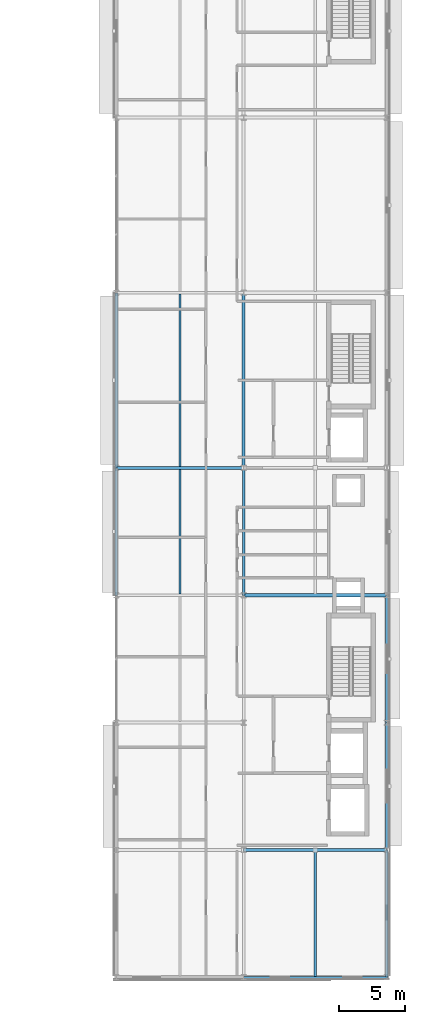
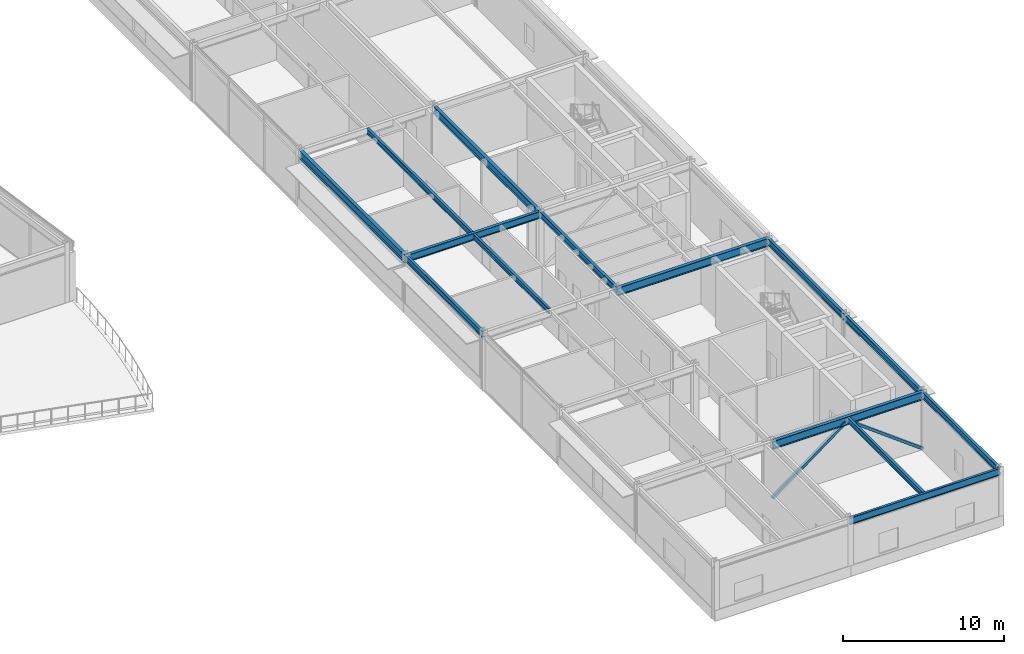
# One storey, part 50 of 89: 14 beams, 2 members.
"""IFC4 building model written with IfcOpenShell, lengths in metres."""

from ifc_helpers import new_model, si_unit, direction, frame, origin, origin_2d, place, context, subcontext, project, spatial, hollow_rectangle, i_section, extrude, material, material_profile, profile_set, type_object, element, save


model = new_model("IFC4")

# Units and contexts
model_context = context("Model", 3, precision=1e-05, world=origin(), true_north=direction((0.0, 1.0)))
body_context = subcontext(model_context, "Body", "Model", "MODEL_VIEW")
ifc_project = project(units=[si_unit("LENGTHUNIT", "METRE"), si_unit("AREAUNIT", "SQUARE_METRE"), si_unit("VOLUMEUNIT", "CUBIC_METRE"), si_unit("PLANEANGLEUNIT", "RADIAN"), si_unit("MASSUNIT", "GRAM", prefix="KILO")], contexts=[model_context])

# Site, building, storey
site_placement = place(None, origin())
site = spatial("IfcSite", under=ifc_project, at=site_placement, CompositionType="ELEMENT")
building_placement = place(site_placement, origin())
building = spatial("IfcBuilding", under=site, at=building_placement, Name="Almandine Court Research Institute", CompositionType="ELEMENT")
storey_placement = place(building_placement, frame((0.0, 0.0, 18.89990234375)))
storey = spatial("IfcBuildingStorey", under=building, at=storey_placement, Name="L04", CompositionType="ELEMENT", Elevation=18.89990234375)

# Beams
ifc_material_1 = material(Name="Steel ASTM A992 Grade 50", Category="steel")
ifc_material_profile_1 = material_profile(ifc_material_1, i_section(OverallWidth=0.18994140625, OverallDepth=0.45703125, WebThickness=0.009033203125, FlangeThickness=0.014892578125, at=origin_2d()), Name="W460x74")
ifc_profile_set_1 = profile_set([ifc_material_profile_1], Name="Steel ASTM A992 Grade 50")
beam_type_1 = type_object("IfcBeamType", Name="Beam-B-01", PredefinedType="BEAM", material=ifc_profile_set_1)
for number, where, z_axis, x_axis, name in (
    (1, (153.60009765625, 34.800048828125, 4.14111328125), (0.0, 1.0, 0.0), (-1.0, 0.0, 0.0), "L04 V4 Primary Y Girder"),
    (2, (163.199951171875, 34.800048828125, 4.14111328125), (0.0, 1.0, 0.0), (-1.0, 0.0, 0.0), "L04 V4 Primary Y Girder"),
):
    element("IfcBeam", number, at=place(storey_placement, frame(where, z_axis=z_axis, x_axis=x_axis)), inside=storey, type_object=beam_type_1, Name=name, PredefinedType="BEAM", context=body_context, shape_type="SweptSolid", body=[
        extrude(i_section(OverallWidth=0.18994140625, OverallDepth=0.45703125, WebThickness=0.009033203125, FlangeThickness=0.014892578125, at=origin_2d()), origin(), (0.0, 0.0, 1.0), 9.599853515625),
    ])
ifc_material_profile_2 = material_profile(ifc_material_1, i_section(OverallWidth=0.178955078125, OverallDepth=0.409912109375, WebThickness=0.009033203125, FlangeThickness=0.013916015625, at=origin_2d()), Name="W410x67")
ifc_profile_set_2 = profile_set([ifc_material_profile_2], Name="Steel ASTM A992 Grade 50")
beam_type_2 = type_object("IfcBeamType", Name="Beam-B-02", PredefinedType="JOIST", material=ifc_profile_set_2)
beam_1_placement = place(storey_placement, frame((168.60009765625, 6.0810546875, 4.1650390625), z_axis=(0.0, 1.0, 0.0), x_axis=(-1.0, 0.0, 0.0)))
element("IfcBeam", 3, at=beam_1_placement, inside=storey, type_object=beam_type_2, Name="L04 V4 Composite Secondary Beam", PredefinedType="JOIST", context=body_context, shape_type="SweptSolid", body=[
    extrude(i_section(OverallWidth=0.178955078125, OverallDepth=0.409912109375, WebThickness=0.009033203125, FlangeThickness=0.013916015625, at=origin_2d()), origin(), (0.0, 0.0, 1.0), 9.406005859375),
])
beam_2_placement = place(storey_placement, frame((158.39990234375, 34.903076171875, 4.1650390625), z_axis=(0.0, 1.0, 0.0), x_axis=(-1.0, 0.0, 0.0)))
element("IfcBeam", 4, at=beam_2_placement, inside=storey, type_object=beam_type_2, Name="L04 V4 Composite Secondary Beam", PredefinedType="JOIST", context=body_context, shape_type="SweptSolid", body=[
    extrude(i_section(OverallWidth=0.178955078125, OverallDepth=0.409912109375, WebThickness=0.009033203125, FlangeThickness=0.013916015625, at=origin_2d()), origin(), (0.0, 0.0, 1.0), 9.39404296875),
])
beam_3_placement = place(storey_placement, frame((158.39990234375, 44.5029296875, 4.1650390625), z_axis=(0.0, 1.0, 0.0), x_axis=(-1.0, 0.0, 0.0)))
element("IfcBeam", 5, at=beam_3_placement, inside=storey, type_object=beam_type_2, Name="L04 V4 Composite Secondary Beam", PredefinedType="JOIST", context=body_context, shape_type="SweptSolid", body=[
    extrude(i_section(OverallWidth=0.178955078125, OverallDepth=0.409912109375, WebThickness=0.009033203125, FlangeThickness=0.013916015625, at=origin_2d()), origin(), (0.0, 0.0, 1.0), 12.994140625),
])
ifc_material_profile_3 = material_profile(ifc_material_1, i_section(OverallWidth=0.22998046875, OverallDepth=0.616943359375, WebThickness=0.012939453125, FlangeThickness=0.02197265625, at=origin_2d()), Name="W610x140")
ifc_profile_set_3 = profile_set([ifc_material_profile_3], Name="Steel ASTM A992 Grade 50")
beam_type_3 = type_object("IfcBeamType", Name="Beam-G-02", PredefinedType="BEAM", material=ifc_profile_set_3)
for number, where, z_axis, x_axis, name in (
    (6, (163.199951171875, 15.60009765625, 4.06201171875), (1.0, 0.0, 0.0), (0.0, 1.0, 0.0), "L04 V4 Primary X Girder"),
    (7, (163.199951171875, 34.800048828125, 4.06201171875), (1.0, 0.0, 0.0), (0.0, 1.0, 0.0), "L04 V4 Primary X Girder"),
):
    element("IfcBeam", number, at=place(storey_placement, frame(where, z_axis=z_axis, x_axis=x_axis)), inside=storey, type_object=beam_type_3, Name=name, PredefinedType="BEAM", context=body_context, shape_type="SweptSolid", body=[
        extrude(i_section(OverallWidth=0.22998046875, OverallDepth=0.616943359375, WebThickness=0.012939453125, FlangeThickness=0.02197265625, at=origin_2d()), origin(), (0.0, 0.0, 1.0), 10.800048828125),
    ])
ifc_material_profile_4 = material_profile(ifc_material_1, i_section(OverallWidth=0.22802734375, OverallDepth=0.60791015625, WebThickness=0.010986328125, FlangeThickness=0.01708984375, at=origin_2d()), Name="W610x113")
ifc_profile_set_4 = profile_set([ifc_material_profile_4], Name="Steel ASTM A992 Grade 50")
beam_type_4 = type_object("IfcBeamType", Name="Beam-G-03", PredefinedType="BEAM", material=ifc_profile_set_4)
for number, where, z_axis, x_axis, name in (
    (8, (153.60009765625, 44.39990234375, 4.066162109375), (0.0, 1.0, 0.0), (-1.0, 0.0, 0.0), "L04 V4 Primary Y Girder"),
    (9, (163.199951171875, 44.39990234375, 4.066162109375), (0.0, 1.0, 0.0), (-1.0, 0.0, 0.0), "L04 V4 Primary Y Girder"),
):
    element("IfcBeam", number, at=place(storey_placement, frame(where, z_axis=z_axis, x_axis=x_axis)), inside=storey, type_object=beam_type_4, Name=name, PredefinedType="BEAM", context=body_context, shape_type="SweptSolid", body=[
        extrude(i_section(OverallWidth=0.22802734375, OverallDepth=0.60791015625, WebThickness=0.010986328125, FlangeThickness=0.01708984375, at=origin_2d()), origin(), (0.0, 0.0, 1.0), 13.2001953125),
    ])
ifc_material_profile_5 = material_profile(ifc_material_1, i_section(OverallWidth=0.2109375, OverallDepth=0.5390625, WebThickness=0.011962890625, FlangeThickness=0.01904296875, at=origin_2d()), Name="W530x109")
ifc_profile_set_5 = profile_set([ifc_material_profile_5], Name="Steel ASTM A992 Grade 50")
beam_type_5 = type_object("IfcBeamType", Name="Beam-G-04", PredefinedType="BEAM", material=ifc_profile_set_5)
beam_4_placement = place(storey_placement, frame((153.60009765625, 44.39990234375, 4.10009765625), z_axis=(1.0, 0.0, 0.0), x_axis=(0.0, 1.0, 0.0)))
element("IfcBeam", 10, at=beam_4_placement, inside=storey, type_object=beam_type_5, Name="L04 V4 Primary X Girder", PredefinedType="BEAM", context=body_context, shape_type="SweptSolid", body=[
    extrude(i_section(OverallWidth=0.2109375, OverallDepth=0.5390625, WebThickness=0.011962890625, FlangeThickness=0.01904296875, at=origin_2d()), origin(), (0.0, 0.0, 1.0), 9.599853515625),
])
ifc_material_profile_6 = material_profile(ifc_material_1, i_section(OverallWidth=0.166015625, OverallDepth=0.534912109375, WebThickness=0.010009765625, FlangeThickness=0.01708984375, at=origin_2d()), Name="W530x85")
ifc_profile_set_6 = profile_set([ifc_material_profile_6], Name="Steel ASTM A992 Grade 50")
beam_type_6 = type_object("IfcBeamType", Name="Beam-G-05-E", PredefinedType="SPANDREL", material=ifc_profile_set_6)
beam_5_placement = place(storey_placement, frame((163.199951171875, 6.0, 4.10302734375), z_axis=(1.0, 0.0, 0.0), x_axis=(0.0, 1.0, 0.0)))
element("IfcBeam", 11, at=beam_5_placement, inside=storey, type_object=beam_type_6, Name="L04 V4 Primary X Girder", PredefinedType="SPANDREL", context=body_context, shape_type="SweptSolid", body=[
    extrude(i_section(OverallWidth=0.166015625, OverallDepth=0.534912109375, WebThickness=0.010009765625, FlangeThickness=0.01708984375, at=origin_2d()), origin(), (0.0, 0.0, 1.0), 10.800048828125),
])
ifc_material_profile_7 = material_profile(ifc_material_1, i_section(OverallWidth=0.193115234375, OverallDepth=0.466064453125, WebThickness=0.010986328125, FlangeThickness=0.01904296875, at=origin_2d()), Name="W460x97")
ifc_profile_set_7 = profile_set([ifc_material_profile_7], Name="Steel ASTM A992 Grade 50")
beam_type_7 = type_object("IfcBeamType", Name="Beam-G-06-E", PredefinedType="SPANDREL", material=ifc_profile_set_7)
beam_6_placement = place(storey_placement, frame((174.0, 6.0, 4.13720703125), z_axis=(0.0, 1.0, 0.0), x_axis=(-1.0, 0.0, 0.0)))
element("IfcBeam", 12, at=beam_6_placement, inside=storey, type_object=beam_type_7, Name="L04 V4 Primary Y Girder", PredefinedType="SPANDREL", context=body_context, shape_type="SweptSolid", body=[
    extrude(i_section(OverallWidth=0.193115234375, OverallDepth=0.466064453125, WebThickness=0.010986328125, FlangeThickness=0.01904296875, at=origin_2d()), origin(), (0.0, 0.0, 1.0), 9.60009765625),
])
beam_7_placement = place(storey_placement, frame((174.0, 15.60009765625, 4.13720703125), z_axis=(0.0, 1.0, 0.0), x_axis=(-1.0, 0.0, 0.0)))
element("IfcBeam", 13, at=beam_7_placement, inside=storey, type_object=beam_type_7, Name="L04 V4 Primary Y Girder", PredefinedType="SPANDREL", context=body_context, shape_type="SweptSolid", body=[
    extrude(i_section(OverallWidth=0.193115234375, OverallDepth=0.466064453125, WebThickness=0.010986328125, FlangeThickness=0.01904296875, at=origin_2d()), origin(), (0.0, 0.0, 1.0), 9.599853515625),
])
beam_8_placement = place(storey_placement, frame((174.0, 25.199951171875, 4.13720703125), z_axis=(0.0, 1.0, 0.0), x_axis=(-1.0, 0.0, 0.0)))
element("IfcBeam", 14, at=beam_8_placement, inside=storey, type_object=beam_type_7, Name="L04 V4 Primary Y Girder", PredefinedType="SPANDREL", context=body_context, shape_type="SweptSolid", body=[
    extrude(i_section(OverallWidth=0.193115234375, OverallDepth=0.466064453125, WebThickness=0.010986328125, FlangeThickness=0.01904296875, at=origin_2d()), origin(), (0.0, 0.0, 1.0), 9.60009765625),
])

# Members
ifc_material_2 = material(Name="Steel ASTM A500 Grade C", Category="steel")
ifc_material_profile_8 = material_profile(ifc_material_2, hollow_rectangle(XDim=0.199951171875, YDim=0.199951171875, WallThickness=0.008056640625, at=origin_2d()), Name="HSS 200x200x8")
ifc_profile_set_8 = profile_set([ifc_material_profile_8], Name="Steel ASTM A500 Grade C")
member_type = type_object("IfcMemberType", Name="Mem-BF-BR2", PredefinedType="BRACE", material=ifc_profile_set_8)
for number, where, z_axis, x_axis, name in (
    (15, (163.199951171875, 15.60009765625, 0.02001953125), (0.801428188232, 0.0, 0.598091012394), (0.0, 1.0, 0.0), "L04 Seismic Chevron Brace V4-BF1 Left"),
    (16, (174.0, 15.60009765625, 0.02001953125), (-0.801415226812, 0.0, 0.598108380007), (0.0, -1.0, 0.0), "L04 Seismic Chevron Brace V4-BF1 Right"),
):
    element("IfcMember", number, at=place(storey_placement, frame(where, z_axis=z_axis, x_axis=x_axis)), inside=storey, type_object=member_type, Name=name, PredefinedType="BRACE", context=body_context, shape_type="SweptSolid", body=[
        extrude(hollow_rectangle(XDim=0.199951171875, YDim=0.199951171875, WallThickness=0.008056640625, at=origin_2d()), origin(), (0.0, 0.0, 1.0), 6.738037109375),
    ])

save(model, "model.ifc")
